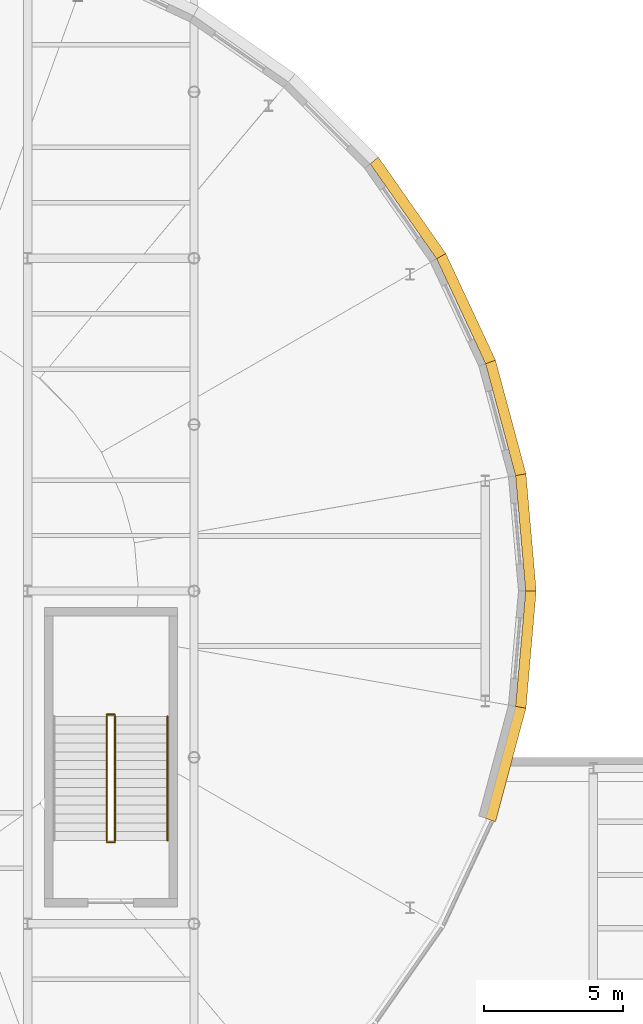
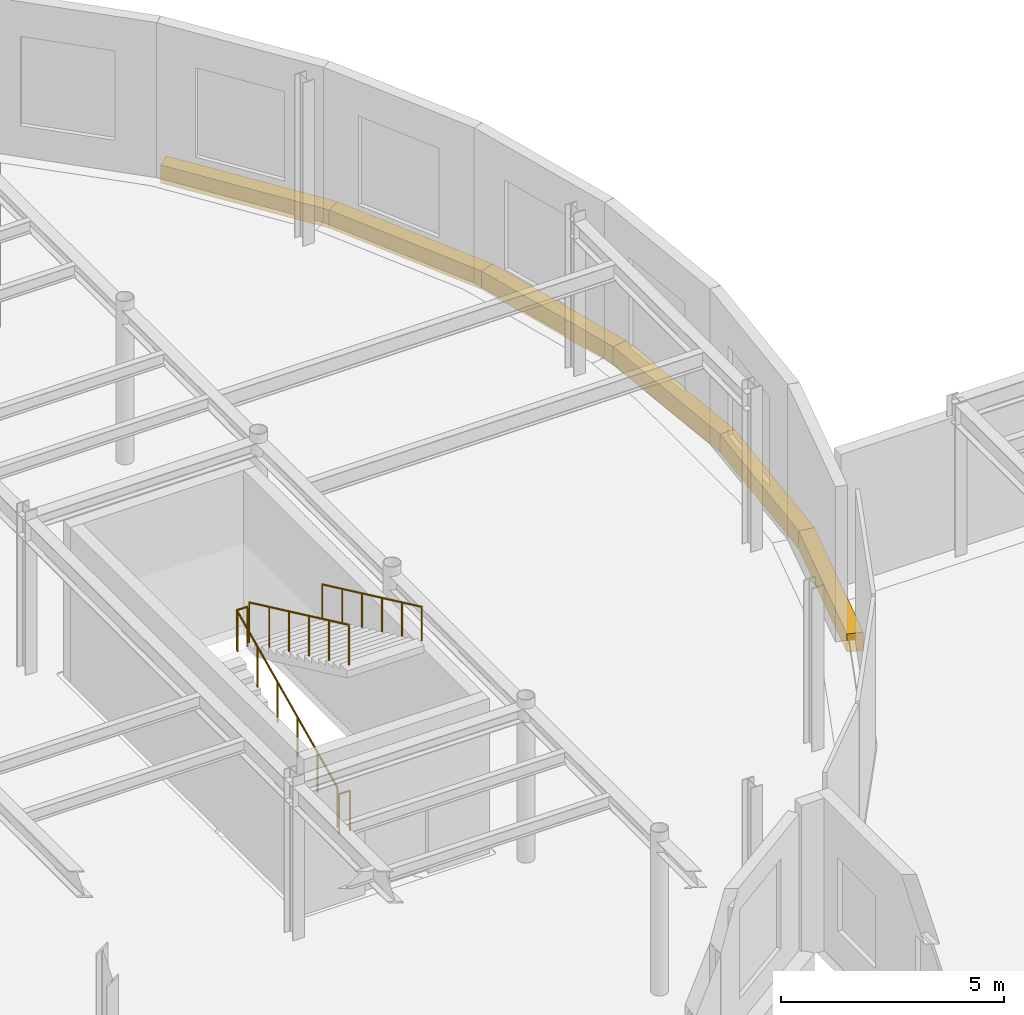
# One storey, part 90 of 91: 6 coverings, 5 railings, 1 element without a shape of its own.
"""IFC4 building model written with IfcOpenShell, lengths in metres."""

from ifc_helpers import new_model, si_unit, direction, frame, origin, origin_2d, place, context, subcontext, project, spatial, polyline, circle, outline, extrude, material, layer, layer_set, type_object, element, aggregate, save


model = new_model("IFC4")

# Units and contexts
model_context = context("Model", 3, precision=1e-05, world=origin(), true_north=direction((0.0, 1.0)))
body_context = subcontext(model_context, "Body", "Model", "MODEL_VIEW")
ifc_project = project(units=[si_unit("LENGTHUNIT", "METRE"), si_unit("AREAUNIT", "SQUARE_METRE"), si_unit("VOLUMEUNIT", "CUBIC_METRE"), si_unit("PLANEANGLEUNIT", "RADIAN"), si_unit("MASSUNIT", "GRAM", prefix="KILO")], contexts=[model_context])

# Site, building, storey
site_placement = place(None, origin())
site = spatial("IfcSite", under=ifc_project, at=site_placement, CompositionType="ELEMENT")
building_placement = place(site_placement, origin())
building = spatial("IfcBuilding", under=site, at=building_placement, Name="Kolvaren Corner Interchange", CompositionType="ELEMENT")
storey_placement = place(building_placement, frame((0.0, 0.0, 6.0)))
storey = spatial("IfcBuildingStorey", under=building, at=storey_placement, Name="L02", CompositionType="ELEMENT", Elevation=6.0)

# Coverings
ifc_material_1 = material(Name="Glazed White Terracotta Fascia Cladding", Category="masonry")
ifc_layer = layer(ifc_material_1, 0.0400390625)
ifc_layer_set = layer_set([ifc_layer], Name="Glazed White Terracotta Fascia Cladding")
covering_type = type_object("IfcCoveringType", Name="COV-WHT-CLAD40", PredefinedType="CLADDING", material=ifc_layer_set)
covering_1_placement = place(storey_placement, frame((0.0, 0.0, -0.320068359375)))
element("IfcCovering", 1, at=covering_1_placement, inside=storey, type_object=covering_type, Name="Racetrack East L02 Sweeping White Edge Band 08", PredefinedType="CLADDING", context=body_context, shape_type="SweptSolid", body=[
    extrude(outline(polyline([(142.514892578125, 39.80517578125), (142.8720703125, 39.67529296875), (143.97021484375, 43.7734375), (143.595947265625, 43.83935546875), (142.514892578125, 39.80517578125)])), origin(), (0.0, 0.0, 1.0), 0.5),
])
covering_2_placement = place(storey_placement, frame((0.0, 0.0, -0.320068359375)))
element("IfcCovering", 2, at=covering_2_placement, inside=storey, type_object=covering_type, Name="Racetrack East L02 Sweeping White Edge Band 09", PredefinedType="CLADDING", context=body_context, shape_type="SweptSolid", body=[
    extrude(outline(polyline([(143.595947265625, 43.83935546875), (143.97021484375, 43.7734375), (144.340087890625, 48.0), (143.9599609375, 48.0), (143.595947265625, 43.83935546875)])), origin(), (0.0, 0.0, 1.0), 0.5),
])
covering_3_placement = place(storey_placement, frame((0.0, 0.0, -0.320068359375)))
element("IfcCovering", 3, at=covering_3_placement, inside=storey, type_object=covering_type, Name="Racetrack East L02 Sweeping White Edge Band 10", PredefinedType="CLADDING", context=body_context, shape_type="SweptSolid", body=[
    extrude(outline(polyline([(143.9599609375, 48.0), (144.340087890625, 48.0), (143.97021484375, 52.2265625), (143.595947265625, 52.16064453125), (143.9599609375, 48.0)])), origin(), (0.0, 0.0, 1.0), 0.5),
])
covering_4_placement = place(storey_placement, frame((0.0, 0.0, -0.320068359375)))
element("IfcCovering", 4, at=covering_4_placement, inside=storey, type_object=covering_type, Name="Racetrack East L02 Sweeping White Edge Band 11", PredefinedType="CLADDING", context=body_context, shape_type="SweptSolid", body=[
    extrude(outline(polyline([(143.595947265625, 52.16064453125), (143.97021484375, 52.2265625), (142.8720703125, 56.32470703125), (142.514892578125, 56.19482421875), (143.595947265625, 52.16064453125)])), origin(), (0.0, 0.0, 1.0), 0.5),
])
covering_5_placement = place(storey_placement, frame((0.0, 0.0, -0.320068359375)))
element("IfcCovering", 5, at=covering_5_placement, inside=storey, type_object=covering_type, Name="Racetrack East L02 Sweeping White Edge Band 12", PredefinedType="CLADDING", context=body_context, shape_type="SweptSolid", body=[
    extrude(outline(polyline([(142.514892578125, 56.19482421875), (142.8720703125, 56.32470703125), (141.0791015625, 60.169921875), (140.75, 59.97998046875), (142.514892578125, 56.19482421875)])), origin(), (0.0, 0.0, 1.0), 0.5),
])
covering_6_placement = place(storey_placement, frame((0.0, 0.0, -0.320068359375)))
element("IfcCovering", 6, at=covering_6_placement, inside=storey, type_object=covering_type, Name="Racetrack East L02 Sweeping White Edge Band 13", PredefinedType="CLADDING", context=body_context, shape_type="SweptSolid", body=[
    extrude(outline(polyline([(140.75, 59.97998046875), (141.0791015625, 60.169921875), (138.6455078125, 63.6455078125), (138.3544921875, 63.401123046875), (140.75, 59.97998046875)])), origin(), (0.0, 0.0, 1.0), 0.5),
])

# Railing
ifc_material_2 = material(Name="Powder-Coated Steel Stairwell Guardrail", Category="steel")
railing_type_1 = type_object("IfcRailingType", Name="RLT-STAIR-GRD1120", PredefinedType="GUARDRAIL", material=ifc_material_2)
railing_1_placement = place(storey_placement, frame((128.860107421875, 38.93994140625, 0.0)))
element("IfcRailing", 7, at=railing_1_placement, inside=storey, type_object=railing_type_1, Name="East Racetrack Concourse Gallery Stair L02 Landing Edge Guardrail", PredefinedType="GUARDRAIL", context=body_context, shape_type="SweptSolid", body=[
    extrude(circle(Radius=0.02392578125, at=origin_2d()), frame((0.0, 0.0, 1.09619140625), z_axis=(1.0, 0.0, 0.0), x_axis=(0.0, 1.0, 0.0)), (0.0, 0.0, 1.0), 0.27978515625),
    extrude(circle(Radius=0.02001953125, at=origin_2d()), origin(), (0.0, 0.0, 1.0), 1.072021484375),
    extrude(circle(Radius=0.02001953125, at=origin_2d()), frame((0.27978515625, 0.0, 0.0)), (0.0, 0.0, 1.0), 1.072021484375),
])

# Stair, railings
ifc_material_3 = material(Name="Concrete C35/45", Category="concrete")
stair_type = type_object("IfcStairType", Name="ST-GL-2000", PredefinedType="HALF_TURN_STAIR", material=ifc_material_3)
stair_placement = place(storey_placement, origin())
stair = element("IfcStair", 8, at=stair_placement, inside=storey, type_object=stair_type, Name="East Racetrack Concourse Gallery Stair L02 to L03 Stair", PredefinedType="HALF_TURN_STAIR")
railing_2_placement = place(storey_placement, frame((128.85009765625, 39.0, 0.14990234375)))
railing_2 = element("IfcRailing", 9, at=railing_2_placement, type_object=railing_type_1, Name="East Racetrack Concourse Gallery Stair L02 Lower Flight Well Guardrail", PredefinedType="GUARDRAIL", context=body_context, shape_type="SweptSolid", body=[
    extrude(circle(Radius=0.02392578125, at=origin_2d()), frame((0.0, 0.0, 1.09619140625), z_axis=(0.0, 0.905450639465, 0.424451574969), x_axis=(-1.0, 0.0, 0.0)), (0.0, 0.0, 1.0), 4.94775390625),
    extrude(circle(Radius=0.02001953125, at=origin_2d()), origin(), (0.0, 0.0, 1.0), 1.072021484375),
    extrude(circle(Radius=0.02001953125, at=origin_2d()), frame((0.0, 0.89599609375, 0.419921875)), (0.0, 0.0, 1.0), 1.072021484375),
    extrude(circle(Radius=0.02001953125, at=origin_2d()), frame((0.0, 1.7919921875, 0.840087890625)), (0.0, 0.0, 1.0), 1.072021484375),
    extrude(circle(Radius=0.02001953125, at=origin_2d()), frame((0.0, 2.68798828125, 1.260009765625)), (0.0, 0.0, 1.0), 1.072021484375),
    extrude(circle(Radius=0.02001953125, at=origin_2d()), frame((0.0, 3.583984375, 1.68017578125)), (0.0, 0.0, 1.0), 1.072021484375),
    extrude(circle(Radius=0.02001953125, at=origin_2d()), frame((0.0, 4.47998046875, 2.10009765625)), (0.0, 0.0, 1.0), 1.072021484375),
])
railing_3_placement = place(storey_placement, frame((128.860107421875, 43.5400390625, 2.25)))
railing_3 = element("IfcRailing", 10, at=railing_3_placement, type_object=railing_type_1, Name="East Racetrack Concourse Gallery Stair L02 Half Landing Well Guardrail", PredefinedType="GUARDRAIL", context=body_context, shape_type="SweptSolid", body=[
    extrude(circle(Radius=0.02392578125, at=origin_2d()), frame((0.0, 0.0, 1.09619140625), z_axis=(1.0, 0.0, 0.0), x_axis=(0.0, 1.0, 0.0)), (0.0, 0.0, 1.0), 0.27978515625),
    extrude(circle(Radius=0.02001953125, at=origin_2d()), origin(), (0.0, 0.0, 1.0), 1.072021484375),
    extrude(circle(Radius=0.02001953125, at=origin_2d()), frame((0.27978515625, 0.0, 0.0)), (0.0, 0.0, 1.0), 1.072021484375),
])
railing_4_placement = place(storey_placement, frame((129.14990234375, 43.47998046875, 2.39990234375)))
railing_4 = element("IfcRailing", 11, at=railing_4_placement, type_object=railing_type_1, Name="East Racetrack Concourse Gallery Stair L02 Upper Flight Well Guardrail", PredefinedType="GUARDRAIL", context=body_context, shape_type="SweptSolid", body=[
    extrude(circle(Radius=0.02392578125, at=origin_2d()), frame((0.0, 0.0, 1.09619140625), z_axis=(0.0, -0.905450639465, 0.424451574969), x_axis=(1.0, 0.0, 0.0)), (0.0, 0.0, 1.0), 4.94775390625),
    extrude(circle(Radius=0.02001953125, at=origin_2d()), origin(), (0.0, 0.0, 1.0), 1.072021484375),
    extrude(circle(Radius=0.02001953125, at=origin_2d()), frame((0.0, -0.89599609375, 0.419921875)), (0.0, 0.0, 1.0), 1.072021484375),
    extrude(circle(Radius=0.02001953125, at=origin_2d()), frame((0.0, -1.7919921875, 0.840087890625)), (0.0, 0.0, 1.0), 1.072021484375),
    extrude(circle(Radius=0.02001953125, at=origin_2d()), frame((0.0, -2.68798828125, 1.260009765625)), (0.0, 0.0, 1.0), 1.072021484375),
    extrude(circle(Radius=0.02001953125, at=origin_2d()), frame((0.0, -3.583984375, 1.68017578125)), (0.0, 0.0, 1.0), 1.072021484375),
    extrude(circle(Radius=0.02001953125, at=origin_2d()), frame((0.0, -4.47998046875, 2.10009765625)), (0.0, 0.0, 1.0), 1.072021484375),
])
ifc_material_4 = material(Name="Brushed Stainless Steel Stair Handrail", Category="steel")
railing_type_2 = type_object("IfcRailingType", Name="RLT-STAIR-HR950", PredefinedType="HANDRAIL", material=ifc_material_4)
railing_5_placement = place(storey_placement, frame((131.0400390625, 43.47998046875, 2.39990234375)))
railing_5 = element("IfcRailing", 12, at=railing_5_placement, type_object=railing_type_2, Name="East Racetrack Concourse Gallery Stair L02 Upper Flight Wall Handrail", PredefinedType="HANDRAIL", context=body_context, shape_type="SweptSolid", body=[
    extrude(circle(Radius=0.02197265625, at=origin_2d()), frame((0.0, 0.0, 0.927978515625), z_axis=(0.0, -0.905450639465, 0.424451574969), x_axis=(1.0, 0.0, 0.0)), (0.0, 0.0, 1.0), 4.94775390625),
    extrude(circle(Radius=0.01806640625, at=origin_2d()), origin(), (0.0, 0.0, 1.0), 0.906005859375),
    extrude(circle(Radius=0.01806640625, at=origin_2d()), frame((0.0, -0.89599609375, 0.419921875)), (0.0, 0.0, 1.0), 0.906005859375),
    extrude(circle(Radius=0.01806640625, at=origin_2d()), frame((0.0, -1.7919921875, 0.840087890625)), (0.0, 0.0, 1.0), 0.906005859375),
    extrude(circle(Radius=0.01806640625, at=origin_2d()), frame((0.0, -2.68798828125, 1.260009765625)), (0.0, 0.0, 1.0), 0.906005859375),
    extrude(circle(Radius=0.01806640625, at=origin_2d()), frame((0.0, -3.583984375, 1.68017578125)), (0.0, 0.0, 1.0), 0.906005859375),
    extrude(circle(Radius=0.01806640625, at=origin_2d()), frame((0.0, -4.47998046875, 2.10009765625)), (0.0, 0.0, 1.0), 0.906005859375),
])
aggregate(stair, [railing_2, railing_3, railing_4, railing_5])

save(model, "model.ifc")
